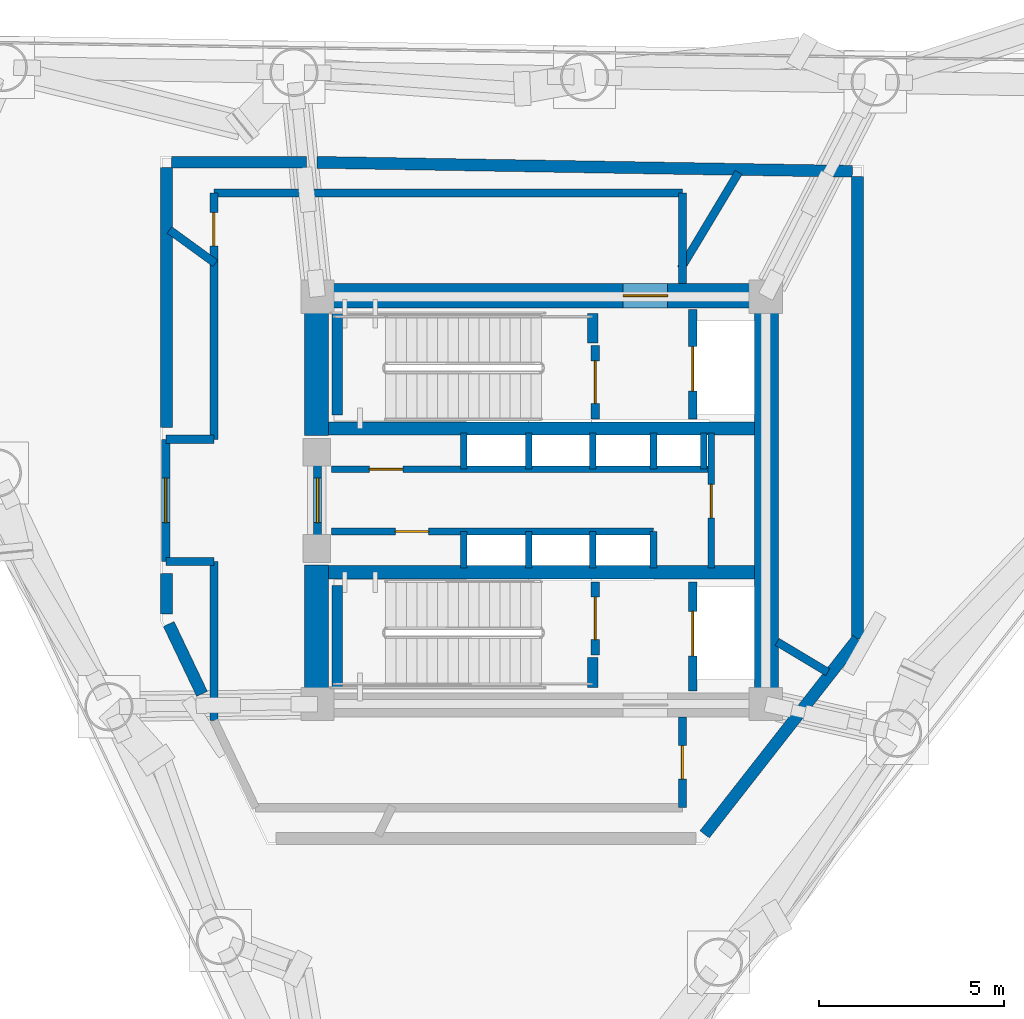
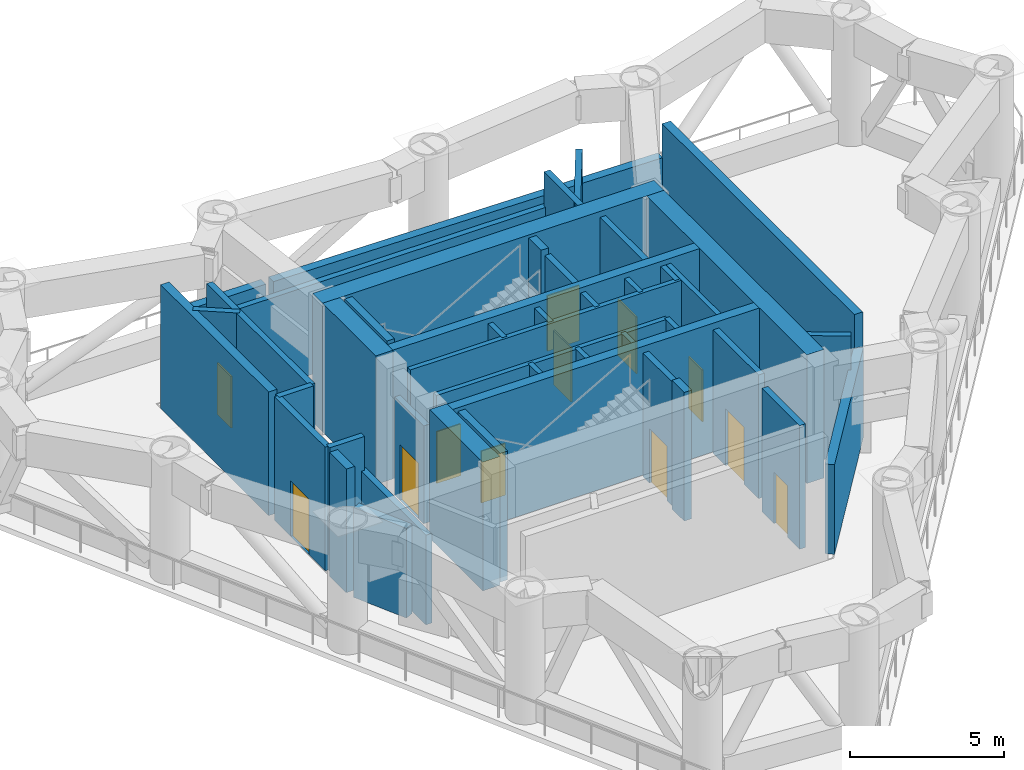
# One storey, part 4 of 9: 45 walls, 12 doors, 12 openings.
"""IFC4 building model written with IfcOpenShell, lengths in metres."""

import ifcopenshell
import ifcopenshell.guid

model = None  # the IFC model being written
_history = None  # IfcOwnerHistory: only IFC2X3 demands one
_inside = {}  # id of a spatial element -> (the spatial element, [elements in it])
_under = {}  # id of a project, library or spatial element -> (it, [spatial elements below it])
_declared = {}  # id of a project -> (the project, [libraries it declares])
_typed = {}  # id of a type object -> (the type object, [elements of that type])
_made_of = {}  # id of a material, layer set ... -> (it, [elements and type objects made of it])


def new_model(schema):
    """Start an empty IFC model of exactly this schema.

    Asked for "IFC4X3", IfcOpenShell would pick the latest addendum, in which some entities
    have other attributes; the version numbers below select the first issue.
    IFC2X3 requires an IfcOwnerHistory on every rooted entity: one is made here for all.
    """
    global model, _history
    if schema == "IFC4X3":
        model = ifcopenshell.file(schema_version=(4, 3, 0, 0))
    else:
        model = ifcopenshell.file(schema=schema)
    _inside.clear()
    _under.clear()
    _declared.clear()
    _typed.clear()
    _made_of.clear()
    _history = None
    if model.schema == "IFC2X3":
        org = make("IfcOrganization", Name="unknown")
        user = make(
            "IfcPersonAndOrganization",
            ThePerson=make("IfcPerson", FamilyName="unknown"),
            TheOrganization=org,
        )
        app = make(
            "IfcApplication",
            ApplicationDeveloper=org,
            Version="unknown",
            ApplicationFullName="unknown",
            ApplicationIdentifier="unknown",
        )
        _history = make(
            "IfcOwnerHistory",
            OwningUser=user,
            OwningApplication=app,
            ChangeAction="ADDED",
            CreationDate=0,
        )
    return model


def make(cls, **values):
    """One entity of the class cls with the attributes given. An attribute that is None is left unset."""
    return model.create_entity(
        cls, **{name: value for name, value in values.items() if value is not None}
    )


def rooted(cls, **values):
    """An entity with a GlobalId (a new one), such as an element, a storey or a relation."""
    return make(cls, GlobalId=ifcopenshell.guid.new(), OwnerHistory=_history, **values)


def si_unit(unit_type, name, prefix=None):
    """IfcSIUnit, for example si_unit("LENGTHUNIT", "METRE", prefix="MILLI")."""
    return make("IfcSIUnit", UnitType=unit_type, Prefix=prefix, Name=name)


def assignment(units):
    """IfcUnitAssignment: the units of a project."""
    return None if units is None else make("IfcUnitAssignment", Units=units)


def point(xyz):
    """IfcCartesianPoint."""
    return None if xyz is None else make("IfcCartesianPoint", Coordinates=xyz)


def direction(xyz):
    """IfcDirection."""
    return None if xyz is None else make("IfcDirection", DirectionRatios=xyz)


def frame(location, z_axis=None, x_axis=None):
    """IfcAxis2Placement3D, a coordinate frame: its origin and axes. An axis left out is left unset."""
    return make(
        "IfcAxis2Placement3D",
        Location=point(location),
        Axis=direction(z_axis),
        RefDirection=direction(x_axis),
    )


def frame_2d(location, x_axis=None):
    """IfcAxis2Placement2D, a coordinate frame in the plane: its origin and x axis."""
    return make(
        "IfcAxis2Placement2D", Location=point(location), RefDirection=direction(x_axis)
    )


def origin():
    """The frame at (0, 0, 0) with its axes left unset."""
    return frame((0.0, 0.0, 0.0))


def place(relative_to, where):
    """IfcLocalPlacement: puts the frame where relative to a parent placement (None: the world)."""
    return make(
        "IfcLocalPlacement", PlacementRelTo=relative_to, RelativePlacement=where
    )


def context(
    kind, dimensions, precision=None, world=None, true_north=None, identifier=None
):
    """IfcGeometricRepresentationContext, for example the 3D "Model" context."""
    return make(
        "IfcGeometricRepresentationContext",
        ContextIdentifier=identifier,
        ContextType=kind,
        CoordinateSpaceDimension=dimensions,
        Precision=precision,
        WorldCoordinateSystem=world,
        TrueNorth=true_north,
    )


def subcontext(parent, identifier, kind, view, scale=None):
    """IfcGeometricRepresentationSubContext, for example "Body" below "Model"."""
    return make(
        "IfcGeometricRepresentationSubContext",
        ContextIdentifier=identifier,
        ContextType=kind,
        ParentContext=parent,
        TargetScale=scale,
        TargetView=view,
    )


def project(units=None, contexts=None):
    """IfcProject with its units and contexts."""
    return rooted(
        "IfcProject",
        Name="project",
        RepresentationContexts=contexts,
        UnitsInContext=assignment(units),
    )


def spatial(cls, under=None, at=None, **own):
    """A site, building, storey or space (cls), placed at a placement, below another one or the project."""
    s = rooted(cls, ObjectPlacement=at, **own)
    if under is not None:
        _under.setdefault(under.id(), (under, []))[1].append(s)
    return s


def profile(cls, at=None, kind="AREA", **sizes):
    """A parametric profile (cls). Its sizes go by their IFC names, for example OverallWidth=200.0."""
    return make(cls, ProfileType=kind, Position=at, **sizes)


def rectangle(**sizes):
    """IfcRectangleProfileDef."""
    return profile("IfcRectangleProfileDef", **sizes)


def extrude(swept, where, along, depth):
    """IfcExtrudedAreaSolid: the profile swept, set in the frame where, extruded along a direction by depth."""
    return make(
        "IfcExtrudedAreaSolid",
        SweptArea=swept,
        Position=where,
        ExtrudedDirection=direction(along),
        Depth=depth,
    )


def shape(context_of_items, identifier, shape_type, items):
    """IfcShapeRepresentation: the items that make up one representation, for example the "Body"."""
    return make(
        "IfcShapeRepresentation",
        ContextOfItems=context_of_items,
        RepresentationIdentifier=identifier,
        RepresentationType=shape_type,
        Items=items,
    )


def material(Name=None, Category=None):
    """IfcMaterial."""
    return make("IfcMaterial", Name=Name, Category=Category)


def layer(
    of_material, thickness, ventilated=None, Name=None, Category=None, Priority=None
):
    """IfcMaterialLayer: one layer of a wall or slab, of a material (None: an air gap)."""
    return make(
        "IfcMaterialLayer",
        Material=of_material,
        LayerThickness=thickness,
        IsVentilated=ventilated,
        Name=Name,
        Category=Category,
        Priority=Priority,
    )


def layer_set(layers, Name=None):
    """IfcMaterialLayerSet."""
    return make("IfcMaterialLayerSet", MaterialLayers=layers, LayerSetName=Name)


def made_of(thing, what):
    """Note that an element or type object is made of a material, layer set ...; save() writes the relation."""
    if what is not None:
        _made_of.setdefault(what.id(), (what, []))[1].append(thing)
    return thing


def type_object(cls, material=None, **own):
    """A type object (cls), such as IfcWallType, which elements share."""
    return made_of(rooted(cls, **own), material)


def element(
    cls,
    number,
    at=None,
    inside=None,
    cuts=None,
    type_object=None,
    material=None,
    context=None,
    identifier="Body",
    shape_type=None,
    held_by="IfcProductDefinitionShape",
    body=None,
    shapes=None,
    **own,
):
    """One element of the class cls, such as IfcWall. Its Tag is "e" and its number.

    at: its placement. inside: the storey or other place that contains it. cuts: it is an
    opening in that element (IfcRelVoidsElement). A single representation is given by context,
    identifier, shape_type and body (its items); several are given by shapes. held_by: the class
    of the entity that holds the representations. save() writes the other relations.
    """
    e = rooted(cls, Tag="e%d" % number, ObjectPlacement=at, **own)
    if body is not None:
        shapes = [shape(context, identifier, shape_type, body)]
    if shapes is not None:
        e.Representation = make(held_by, Representations=shapes)
    if inside is not None:
        _inside.setdefault(inside.id(), (inside, []))[1].append(e)
    if cuts is not None:
        rooted(
            "IfcRelVoidsElement", RelatingBuildingElement=cuts, RelatedOpeningElement=e
        )
    if type_object is not None:
        _typed.setdefault(type_object.id(), (type_object, []))[1].append(e)
    return made_of(e, material)


def fill(opening, filler):
    """IfcRelFillsElement: the door or window that sits in an opening."""
    return rooted(
        "IfcRelFillsElement",
        RelatingOpeningElement=opening,
        RelatedBuildingElement=filler,
    )


def aggregate(whole, parts):
    """IfcRelAggregates: a whole, such as a stair, and the parts it consists of."""
    return rooted("IfcRelAggregates", RelatingObject=whole, RelatedObjects=parts)


def save(model, path):
    """Write the relations noted so far, then the file.

    IfcRelAggregates (storeys below a building ...), IfcRelContainedInSpatialStructure (elements
    in a storey), IfcRelDefinesByType, IfcRelAssociatesMaterial and IfcRelDeclares: one each for
    every whole, place, type object, material and project.
    """
    for whole, parts in _under.values():
        aggregate(whole, parts)
    for where, things in _inside.values():
        rooted(
            "IfcRelContainedInSpatialStructure",
            RelatedElements=things,
            RelatingStructure=where,
        )
    for kind, things in _typed.values():
        rooted("IfcRelDefinesByType", RelatedObjects=things, RelatingType=kind)
    for what, things in _made_of.values():
        rooted("IfcRelAssociatesMaterial", RelatedObjects=things, RelatingMaterial=what)
    for by, libraries in _declared.values():
        rooted("IfcRelDeclares", RelatingContext=by, RelatedDefinitions=libraries)
    model.write(path)


model = new_model("IFC4")

# Units and contexts
model_context = context("Model", 3, precision=1e-05, world=origin(), true_north=direction((0.0, 1.0)))
body_context = subcontext(model_context, "Body", "Model", "MODEL_VIEW")
ifc_project = project(units=[si_unit("LENGTHUNIT", "METRE"), si_unit("AREAUNIT", "SQUARE_METRE"), si_unit("VOLUMEUNIT", "CUBIC_METRE"), si_unit("PLANEANGLEUNIT", "RADIAN"), si_unit("MASSUNIT", "GRAM", prefix="KILO")], contexts=[model_context])

# Site, building, storey
site_placement = place(None, origin())
site = spatial("IfcSite", under=ifc_project, at=site_placement, CompositionType="ELEMENT")
building_placement = place(site_placement, origin())
building = spatial("IfcBuilding", under=site, at=building_placement, Name="Yunling Apex Tower", CompositionType="ELEMENT")
storey_placement = place(building_placement, frame((0.0, 0.0, 153.64990234375)))
storey = spatial("IfcBuildingStorey", under=building, at=storey_placement, Name="RF4", CompositionType="ELEMENT", Elevation=153.64990234375)

# Wall, opening, door
ifc_material_1 = material(Name="Concrete C50", Category="concrete")
ifc_layer_1 = layer(ifc_material_1, 0.64990234375)
ifc_layer_set_1 = layer_set([ifc_layer_1], Name="Concrete C50")
wall_type_1 = type_object("IfcWallType", Name="WL-COR-2", PredefinedType="SHEAR", material=ifc_layer_set_1)
wall_1_placement = place(storey_placement, frame((-6.39990234375, 5.52490234375, 0.0), z_axis=(0.0, 0.0, 1.0), x_axis=(1.0, 0.0, 0.0)))
wall_1 = element("IfcWall", 1, at=wall_1_placement, inside=storey, type_object=wall_type_1, Name="RF4 North Core Shear Wall", PredefinedType="SHEAR", context=body_context, shape_type="SweptSolid", body=[
    extrude(rectangle(XDim=12.7998046875, YDim=0.64990234375, at=frame_2d((6.39990234375, 0.0))), origin(), (0.0, 0.0, 1.0), 5.10009765625),
])
opening_1_placement = place(wall_1_placement, frame((8.60009765625, 0.0, 0.0)))
opening_1 = element("IfcOpeningElement", 2, at=opening_1_placement, cuts=wall_1, Name="Opening DR-FFL-1", PredefinedType="OPENING", context=body_context, shape_type="SweptSolid", body=[
    extrude(rectangle(XDim=1.199951171875, YDim=2.199951171875, at=frame_2d((0.60009765625, 1.10009765625))), frame((0.0, 0.3349609375, 0.0), z_axis=(0.0, -1.0, 0.0), x_axis=(1.0, 0.0, 0.0)), (0.0, 0.0, 1.0), 0.669921875),
])
ifc_material_2 = material(Name="Steel Q355B", Category="steel")
door_type_1 = type_object("IfcDoorType", Name="DR-FFL-1", OperationType="NOTDEFINED", PredefinedType="DOOR", material=ifc_material_2)
door_1_placement = place(opening_1_placement, origin())
door_1 = element("IfcDoor", 3, at=door_1_placement, inside=storey, type_object=door_type_1, Name="RF4 North Firefighting Lobby Door", OperationType="SINGLE_SWING_LEFT", OverallHeight=2.199951171875, OverallWidth=1.199951171875, PredefinedType="DOOR", context=body_context, shape_type="SweptSolid", body=[
    extrude(rectangle(XDim=1.199951171875, YDim=2.199951171875, at=frame_2d((0.60009765625, 1.10009765625))), frame((0.0, 0.02490234375, 0.0), z_axis=(0.0, -1.0, 0.0), x_axis=(1.0, 0.0, 0.0)), (0.0, 0.0, 1.0), 0.050048828125),
])
fill(opening_1, door_1)

# Walls
wall_2_placement = place(storey_placement, frame((6.074951171875, -5.199951171875, 0.0), z_axis=(0.0, 0.0, 1.0), x_axis=(0.0, 1.0, 0.0)))
element("IfcWall", 4, at=wall_2_placement, inside=storey, type_object=wall_type_1, Name="RF4 East Core Shear Wall", PredefinedType="SHEAR", context=body_context, shape_type="SweptSolid", body=[
    extrude(rectangle(XDim=10.39990234375, YDim=0.64990234375, at=frame_2d((5.199951171875, 0.0))), origin(), (0.0, 0.0, 1.0), 5.10009765625),
])
for number, where, z_axis, x_axis, name in (
    (5, (-6.074951171875, -5.199951171875, 0.0), (0.0, 0.0, 1.0), (0.0, 1.0, 0.0), "RF4 West-South Core Shear Wall"),
    (6, (-6.074951171875, 1.75, 0.0), (0.0, 0.0, 1.0), (0.0, 1.0, 0.0), "RF4 West-North Core Shear Wall"),
):
    element("IfcWall", number, at=place(storey_placement, frame(where, z_axis=z_axis, x_axis=x_axis)), inside=storey, type_object=wall_type_1, Name=name, PredefinedType="SHEAR", context=body_context, shape_type="SweptSolid", body=[
        extrude(rectangle(XDim=3.449951171875, YDim=0.64990234375, at=frame_2d((1.72509765625, 0.0))), origin(), (0.0, 0.0, 1.0), 5.10009765625),
    ])
ifc_material_3 = material(Name="Concrete C40", Category="concrete")
ifc_layer_2 = layer(ifc_material_3, 0.360107421875)
ifc_layer_set_2 = layer_set([ifc_layer_2], Name="Concrete C40")
wall_type_2 = type_object("IfcWallType", Name="WL-COR-4", PredefinedType="SHEAR", material=ifc_layer_set_2)
for number, where, z_axis, x_axis, name in (
    (7, (-5.75, 1.93994140625, 0.0), (0.0, 0.0, 1.0), (1.0, 0.0, 0.0), "RF4 North Internal Core Shear Wall"),
    (8, (-5.75, -1.93994140625, 0.0), (0.0, 0.0, 1.0), (1.0, 0.0, 0.0), "RF4 South Internal Core Shear Wall"),
):
    element("IfcWall", number, at=place(storey_placement, frame(where, z_axis=z_axis, x_axis=x_axis)), inside=storey, type_object=wall_type_2, Name=name, PredefinedType="SHEAR", context=body_context, shape_type="SweptSolid", body=[
        extrude(rectangle(XDim=11.5, YDim=0.360107421875, at=frame_2d((5.75, 0.0))), origin(), (0.0, 0.0, 1.0), 5.10009765625),
    ])
ifc_layer_3 = layer(ifc_material_3, 0.280029296875)
ifc_layer_set_3 = layer_set([ifc_layer_3], Name="Concrete C40")
wall_type_3 = type_object("IfcWallType", Name="WL-COR-8", PredefinedType="SHEAR", material=ifc_layer_set_3)
wall_3_placement = place(storey_placement, frame((-5.52001953125, 2.300048828125, 0.0), z_axis=(0.0, 0.0, 1.0), x_axis=(0.0, 1.0, 0.0)))
element("IfcWall", 9, at=wall_3_placement, inside=storey, type_object=wall_type_3, Name="RF4 ST-1 West Landing Bearing Wall", PredefinedType="SHEAR", context=body_context, shape_type="SweptSolid", body=[
    extrude(rectangle(XDim=2.75, YDim=0.280029296875, at=frame_2d((1.375, 0.0))), origin(), (0.0, 0.0, 1.0), 5.10009765625),
])
wall_4_placement = place(storey_placement, frame((1.3798828125, 4.25, 0.0), z_axis=(0.0, 0.0, 1.0), x_axis=(0.0, 1.0, 0.0)))
element("IfcWall", 10, at=wall_4_placement, inside=storey, type_object=wall_type_3, Name="RF4 ST-1 East Landing Bearing Pier", PredefinedType="SHEAR", context=body_context, shape_type="SweptSolid", body=[
    extrude(rectangle(XDim=0.800048828125, YDim=0.280029296875, at=frame_2d((0.39990234375, 0.0))), origin(), (0.0, 0.0, 1.0), 5.10009765625),
])
wall_5_placement = place(storey_placement, frame((-5.52001953125, -5.050048828125, 0.0), z_axis=(0.0, 0.0, 1.0), x_axis=(0.0, 1.0, 0.0)))
element("IfcWall", 11, at=wall_5_placement, inside=storey, type_object=wall_type_3, Name="RF4 ST-2 West Landing Bearing Wall", PredefinedType="SHEAR", context=body_context, shape_type="SweptSolid", body=[
    extrude(rectangle(XDim=2.75, YDim=0.280029296875, at=frame_2d((1.375, 0.0))), origin(), (0.0, 0.0, 1.0), 5.10009765625),
])
wall_6_placement = place(storey_placement, frame((1.3798828125, -5.050048828125, 0.0), z_axis=(0.0, 0.0, 1.0), x_axis=(0.0, 1.0, 0.0)))
element("IfcWall", 12, at=wall_6_placement, inside=storey, type_object=wall_type_3, Name="RF4 ST-2 East Landing Bearing Pier", PredefinedType="SHEAR", context=body_context, shape_type="SweptSolid", body=[
    extrude(rectangle(XDim=0.800048828125, YDim=0.280029296875, at=frame_2d((0.39990234375, 0.0))), origin(), (0.0, 0.0, 1.0), 5.10009765625),
])
ifc_material_4 = material(Name="Precast concrete C40", Category="concrete")
ifc_layer_4 = layer(ifc_material_4, 0.320068359375)
ifc_layer_set_4 = layer_set([ifc_layer_4], Name="Precast concrete C40")
wall_type_4 = type_object("IfcWallType", Name="WL-EXT-1", PredefinedType="SOLIDWALL", material=ifc_layer_set_4)
wall_7_placement = place(storey_placement, frame((8.530029296875, -3.7431640625, 0.0), z_axis=(0.0, 0.0, 1.0), x_axis=(-0.616206069738, -0.787584966602, 0.0)))
element("IfcWall", 13, at=wall_7_placement, inside=storey, type_object=wall_type_4, Name="WL-RF4-IR-01", PredefinedType="SOLIDWALL", context=body_context, shape_type="SweptSolid", body=[
    extrude(rectangle(XDim=6.69970703125, YDim=0.320068359375, at=frame_2d((3.349853515625, 0.0))), origin(), (0.0, 0.0, 1.0), 3.55517578125),
])
wall_8_placement = place(storey_placement, frame((-9.169921875, -5.2255859375, 0.0), z_axis=(0.0, 0.0, 1.0), x_axis=(-0.430454955587, 0.902612060196, 0.0)))
element("IfcWall", 14, at=wall_8_placement, inside=storey, type_object=wall_type_4, Name="WL-RF4-IR-03", PredefinedType="SOLIDWALL", context=body_context, shape_type="SweptSolid", body=[
    extrude(rectangle(XDim=2.090087890625, YDim=0.320068359375, at=frame_2d((1.044921875, 0.0))), origin(), (0.0, 0.0, 1.0), 3.55517578125),
])
wall_9_placement = place(storey_placement, frame((-10.1298828125, -3.07275390625, 0.0), z_axis=(0.0, 0.0, 1.0), x_axis=(0.0, 1.0, 0.0)))
element("IfcWall", 15, at=wall_9_placement, inside=storey, type_object=wall_type_4, Name="WL-RF4-IR-04", PredefinedType="SOLIDWALL", context=body_context, shape_type="SweptSolid", body=[
    extrude(rectangle(XDim=1.102783203125, YDim=0.320068359375, at=frame_2d((0.55126953125, 0.0))), origin(), (0.0, 0.0, 1.0), 4.900146484375),
])
wall_10_placement = place(storey_placement, frame((-10.1298828125, 1.969970703125, 0.0), z_axis=(0.0, 0.0, 1.0), x_axis=(0.0, 1.0, 0.0)))
element("IfcWall", 16, at=wall_10_placement, inside=storey, type_object=wall_type_4, Name="WL-RF4-IR-05", PredefinedType="SOLIDWALL", context=body_context, shape_type="SweptSolid", body=[
    extrude(rectangle(XDim=7.02001953125, YDim=0.320068359375, at=frame_2d((3.510009765625, 0.0))), origin(), (0.0, 0.0, 1.0), 4.900146484375),
])
wall_11_placement = place(storey_placement, frame((-9.989990234375, 9.1298828125, 0.0), z_axis=(0.0, 0.0, 1.0), x_axis=(1.0, 0.0, 0.0)))
element("IfcWall", 17, at=wall_11_placement, inside=storey, type_object=wall_type_4, Name="WL-RF4-IR-06", PredefinedType="SOLIDWALL", context=body_context, shape_type="SweptSolid", body=[
    extrude(rectangle(XDim=3.64208984375, YDim=0.320068359375, at=frame_2d((1.821044921875, 0.0))), origin(), (0.0, 0.0, 1.0), 3.55517578125),
])
wall_12_placement = place(storey_placement, frame((-6.06787109375, 9.127685546875, 0.0), z_axis=(0.0, 0.0, 1.0), x_axis=(0.999859442252, -0.016765910032, 0.0)))
element("IfcWall", 18, at=wall_12_placement, inside=storey, type_object=wall_type_4, Name="WL-RF4-IR-07", PredefinedType="SOLIDWALL", context=body_context, shape_type="SweptSolid", body=[
    extrude(rectangle(XDim=14.459716796875, YDim=0.320068359375, at=frame_2d((7.22998046875, 0.0))), origin(), (0.0, 0.0, 1.0), 3.55517578125),
])
wall_13_placement = place(storey_placement, frame((8.530029296875, 8.742919921875, 0.0), z_axis=(0.0, 0.0, 1.0), x_axis=(0.0, -1.0, 0.0)))
element("IfcWall", 19, at=wall_13_placement, inside=storey, type_object=wall_type_4, Name="WL-RF4-IR-08", PredefinedType="SOLIDWALL", context=body_context, shape_type="SweptSolid", body=[
    extrude(rectangle(XDim=12.486083984375, YDim=0.320068359375, at=frame_2d((6.2431640625, 0.0))), origin(), (0.0, 0.0, 1.0), 4.900146484375),
])

# Wall, opening, door
ifc_material_5 = material(Name="Autoclaved aerated concrete masonry", Category="masonry")
ifc_layer_5 = layer(ifc_material_5, 0.219970703125)
ifc_layer_set_5 = layer_set([ifc_layer_5], Name="Autoclaved aerated concrete masonry")
wall_type_5 = type_object("IfcWallType", Name="WL-SHF-1", PredefinedType="PLUMBINGWALL", material=ifc_layer_set_5)
wall_14_placement = place(storey_placement, frame((-6.050048828125, -0.949951171875, 0.0), z_axis=(0.0, 0.0, 1.0), x_axis=(0.0, 1.0, 0.0)))
wall_14 = element("IfcWall", 20, at=wall_14_placement, inside=storey, type_object=wall_type_5, Name="WL-COR-WPORT-RF4", PredefinedType="PLUMBINGWALL", context=body_context, shape_type="SweptSolid", body=[
    extrude(rectangle(XDim=1.89990234375, YDim=0.219970703125, at=frame_2d((0.949951171875, 0.0))), origin(), (0.0, 0.0, 1.0), 3.880126953125),
])
opening_2_placement = place(wall_14_placement, frame((0.35009765625, 0.0, 0.0)))
opening_2 = element("IfcOpeningElement", 21, at=opening_2_placement, cuts=wall_14, Name="Opening DR-FFL-1", PredefinedType="OPENING", context=body_context, shape_type="SweptSolid", body=[
    extrude(rectangle(XDim=1.199951171875, YDim=2.199951171875, at=frame_2d((0.60009765625, 1.10009765625))), frame((0.0, 0.1201171875, 0.0), z_axis=(0.0, -1.0, 0.0), x_axis=(1.0, 0.0, 0.0)), (0.0, 0.0, 1.0), 0.239990234375),
])
door_2_placement = place(opening_2_placement, origin())
door_2 = element("IfcDoor", 22, at=door_2_placement, inside=storey, type_object=door_type_1, Name="RF4 Passenger Lift Lobby Entrance Door", OperationType="SINGLE_SWING_LEFT", OverallHeight=2.199951171875, OverallWidth=1.199951171875, PredefinedType="DOOR", context=body_context, shape_type="SweptSolid", body=[
    extrude(rectangle(XDim=1.199951171875, YDim=2.199951171875, at=frame_2d((0.60009765625, 1.10009765625))), frame((0.0, 0.02490234375, 0.0), z_axis=(0.0, -1.0, 0.0), x_axis=(1.0, 0.0, 0.0)), (0.0, 0.0, 1.0), 0.050048828125),
])
fill(opening_2, door_2)

wall_15_placement = place(storey_placement, frame((1.449951171875, 2.199951171875, 0.0), z_axis=(0.0, 0.0, 1.0), x_axis=(0.0, 1.0, 0.0)))
wall_15 = element("IfcWall", 23, at=wall_15_placement, inside=storey, type_object=wall_type_5, Name="WL-ST1-E-RF4", PredefinedType="PLUMBINGWALL", context=body_context, shape_type="SweptSolid", body=[
    extrude(rectangle(XDim=1.97998046875, YDim=0.219970703125, at=frame_2d((0.989990234375, 0.0))), origin(), (0.0, 0.0, 1.0), 4.900146484375),
])
opening_3_placement = place(wall_15_placement, frame((0.419921875, 0.0, 0.0)))
opening_3 = element("IfcOpeningElement", 24, at=opening_3_placement, cuts=wall_15, Name="Opening DR-ST-1", PredefinedType="OPENING", context=body_context, shape_type="SweptSolid", body=[
    extrude(rectangle(XDim=1.14990234375, YDim=2.14990234375, at=frame_2d((0.574951171875, 1.074951171875))), frame((0.0, 0.1201171875, 0.0), z_axis=(0.0, -1.0, 0.0), x_axis=(1.0, 0.0, 0.0)), (0.0, 0.0, 1.0), 0.239990234375),
])
door_type_2 = type_object("IfcDoorType", Name="DR-ST-1", OperationType="NOTDEFINED", PredefinedType="DOOR", material=ifc_material_2)
door_3_placement = place(opening_3_placement, origin())
door_3 = element("IfcDoor", 25, at=door_3_placement, inside=storey, type_object=door_type_2, Name="RF4 Stair ST-1 Fire Door", OperationType="SINGLE_SWING_RIGHT", OverallHeight=2.14990234375, OverallWidth=1.14990234375, PredefinedType="DOOR", context=body_context, shape_type="SweptSolid", body=[
    extrude(rectangle(XDim=1.14990234375, YDim=2.14990234375, at=frame_2d((0.574951171875, 1.074951171875))), frame((0.0, 0.02490234375, 0.0), z_axis=(0.0, -1.0, 0.0), x_axis=(1.0, 0.0, 0.0)), (0.0, 0.0, 1.0), 0.050048828125),
])
fill(opening_3, door_3)

wall_16_placement = place(storey_placement, frame((4.080078125, 2.199951171875, 0.0), z_axis=(0.0, 0.0, 1.0), x_axis=(0.0, 1.0, 0.0)))
wall_16 = element("IfcWall", 26, at=wall_16_placement, inside=storey, type_object=wall_type_5, Name="WL-FFL1-W-RF4", PredefinedType="PLUMBINGWALL", context=body_context, shape_type="SweptSolid", body=[
    extrude(rectangle(XDim=2.949951171875, YDim=0.219970703125, at=frame_2d((1.47509765625, 0.0))), origin(), (0.0, 0.0, 1.0), 4.900146484375),
])
opening_4_placement = place(wall_16_placement, frame((0.75, 0.0, 0.0)))
opening_4 = element("IfcOpeningElement", 27, at=opening_4_placement, cuts=wall_16, Name="Opening LD-FFL-1", PredefinedType="OPENING", context=body_context, shape_type="SweptSolid", body=[
    extrude(rectangle(XDim=1.199951171875, YDim=2.25, at=frame_2d((0.60009765625, 1.125))), frame((0.0, 0.1201171875, 0.0), z_axis=(0.0, -1.0, 0.0), x_axis=(1.0, 0.0, 0.0)), (0.0, 0.0, 1.0), 0.239990234375),
])
door_type_3 = type_object("IfcDoorType", Name="LD-FFL-1", OperationType="DOUBLE_DOOR_SLIDING", PredefinedType="DOOR", material=ifc_material_2)
door_4_placement = place(opening_4_placement, origin())
door_4 = element("IfcDoor", 28, at=door_4_placement, inside=storey, type_object=door_type_3, Name="RF4 Lift FFL-1 Landing Door", OperationType="DOUBLE_DOOR_SLIDING", OverallHeight=2.25, OverallWidth=1.199951171875, PredefinedType="DOOR", context=body_context, shape_type="SweptSolid", body=[
    extrude(rectangle(XDim=1.199951171875, YDim=2.25, at=frame_2d((0.60009765625, 1.125))), frame((0.0, 0.02490234375, 0.0), z_axis=(0.0, -1.0, 0.0), x_axis=(1.0, 0.0, 0.0)), (0.0, 0.0, 1.0), 0.050048828125),
])
fill(opening_4, door_4)

wall_17_placement = place(storey_placement, frame((1.449951171875, -4.179931640625, 0.0), z_axis=(0.0, 0.0, 1.0), x_axis=(0.0, 1.0, 0.0)))
wall_17 = element("IfcWall", 29, at=wall_17_placement, inside=storey, type_object=wall_type_5, Name="WL-ST2-E-RF4", PredefinedType="PLUMBINGWALL", context=body_context, shape_type="SweptSolid", body=[
    extrude(rectangle(XDim=1.97998046875, YDim=0.219970703125, at=frame_2d((0.989990234375, 0.0))), origin(), (0.0, 0.0, 1.0), 4.900146484375),
])
opening_5_placement = place(wall_17_placement, frame((0.419921875, 0.0, 0.0)))
opening_5 = element("IfcOpeningElement", 30, at=opening_5_placement, cuts=wall_17, Name="Opening DR-ST-1", PredefinedType="OPENING", context=body_context, shape_type="SweptSolid", body=[
    extrude(rectangle(XDim=1.14990234375, YDim=2.14990234375, at=frame_2d((0.574951171875, 1.074951171875))), frame((0.0, 0.1201171875, 0.0), z_axis=(0.0, -1.0, 0.0), x_axis=(1.0, 0.0, 0.0)), (0.0, 0.0, 1.0), 0.239990234375),
])
door_5_placement = place(opening_5_placement, origin())
door_5 = element("IfcDoor", 31, at=door_5_placement, inside=storey, type_object=door_type_2, Name="RF4 Stair ST-2 Fire Door", OperationType="SINGLE_SWING_LEFT", OverallHeight=2.14990234375, OverallWidth=1.14990234375, PredefinedType="DOOR", context=body_context, shape_type="SweptSolid", body=[
    extrude(rectangle(XDim=1.14990234375, YDim=2.14990234375, at=frame_2d((0.574951171875, 1.074951171875))), frame((0.0, 0.02490234375, 0.0), z_axis=(0.0, -1.0, 0.0), x_axis=(1.0, 0.0, 0.0)), (0.0, 0.0, 1.0), 0.050048828125),
])
fill(opening_5, door_5)

wall_18_placement = place(storey_placement, frame((4.080078125, -5.14990234375, 0.0), z_axis=(0.0, 0.0, 1.0), x_axis=(0.0, 1.0, 0.0)))
wall_18 = element("IfcWall", 32, at=wall_18_placement, inside=storey, type_object=wall_type_5, Name="WL-FFL2-W-RF4", PredefinedType="PLUMBINGWALL", context=body_context, shape_type="SweptSolid", body=[
    extrude(rectangle(XDim=2.949951171875, YDim=0.219970703125, at=frame_2d((1.47509765625, 0.0))), origin(), (0.0, 0.0, 1.0), 4.900146484375),
])
opening_6_placement = place(wall_18_placement, frame((0.949951171875, 0.0, 0.0)))
opening_6 = element("IfcOpeningElement", 33, at=opening_6_placement, cuts=wall_18, Name="Opening LD-FFL-1", PredefinedType="OPENING", context=body_context, shape_type="SweptSolid", body=[
    extrude(rectangle(XDim=1.199951171875, YDim=2.25, at=frame_2d((0.60009765625, 1.125))), frame((0.0, 0.1201171875, 0.0), z_axis=(0.0, -1.0, 0.0), x_axis=(1.0, 0.0, 0.0)), (0.0, 0.0, 1.0), 0.239990234375),
])
door_6_placement = place(opening_6_placement, origin())
door_6 = element("IfcDoor", 34, at=door_6_placement, inside=storey, type_object=door_type_3, Name="RF4 Lift FFL-2 Landing Door", OperationType="DOUBLE_DOOR_SLIDING", OverallHeight=2.25, OverallWidth=1.199951171875, PredefinedType="DOOR", context=body_context, shape_type="SweptSolid", body=[
    extrude(rectangle(XDim=1.199951171875, YDim=2.25, at=frame_2d((0.60009765625, 1.125))), frame((0.0, 0.02490234375, 0.0), z_axis=(0.0, -1.0, 0.0), x_axis=(1.0, 0.0, 0.0)), (0.0, 0.0, 1.0), 0.050048828125),
])
fill(opening_6, door_6)

# Walls
wall_19_placement = place(storey_placement, frame((3.760009765625, 6.2578125, 0.0), z_axis=(0.0, 0.0, 1.0), x_axis=(0.51502853242, 0.857173034336, 0.0)))
element("IfcWall", 35, at=wall_19_placement, inside=storey, type_object=wall_type_5, Name="WL-RF4-PDIV-59", PredefinedType="PLUMBINGWALL", context=body_context, shape_type="SweptSolid", body=[
    extrude(rectangle(XDim=3.031982421875, YDim=0.219970703125, at=frame_2d((1.51611328125, 0.0))), origin(), (0.0, 0.0, 1.0), 4.900146484375),
])
wall_20_placement = place(storey_placement, frame((-8.81005859375, 6.40087890625, 0.0), z_axis=(0.0, 0.0, 1.0), x_axis=(-0.809025288471, 0.587773836279, 0.0)))
element("IfcWall", 36, at=wall_20_placement, inside=storey, type_object=wall_type_5, Name="WL-RF4-PDIV-144", PredefinedType="PLUMBINGWALL", context=body_context, shape_type="SweptSolid", body=[
    extrude(rectangle(XDim=1.53271484375, YDim=0.219970703125, at=frame_2d((0.766357421875, 0.0))), origin(), (0.0, 0.0, 1.0), 4.900146484375),
])
wall_21_placement = place(storey_placement, frame((6.360107421875, -3.821533203125, 0.0), z_axis=(0.0, 0.0, 1.0), x_axis=(0.857168152113, -0.515036657922, 0.0)))
element("IfcWall", 37, at=wall_21_placement, inside=storey, type_object=wall_type_5, Name="WL-RF4-PDIV-329", PredefinedType="PLUMBINGWALL", context=body_context, shape_type="SweptSolid", body=[
    extrude(rectangle(XDim=1.5927734375, YDim=0.219970703125, at=frame_2d((0.79638671875, 0.0))), origin(), (0.0, 0.0, 1.0), 4.900146484375),
])

# Wall, opening, door
wall_22_placement = place(storey_placement, frame((3.800048828125, -5.85009765625, 0.0), z_axis=(0.0, 0.0, 1.0), x_axis=(0.0, -1.0, 0.0)))
wall_22 = element("IfcWall", 38, at=wall_22_placement, inside=storey, type_object=wall_type_5, Name="WL-RF4-PCR-01", PredefinedType="PLUMBINGWALL", context=body_context, shape_type="SweptSolid", body=[
    extrude(rectangle(XDim=2.449951171875, YDim=0.219970703125, at=frame_2d((1.22509765625, 0.0))), origin(), (0.0, 0.0, 1.0), 4.900146484375),
])
opening_7_placement = place(wall_22_placement, frame((0.77490234375, 0.0, 0.0)))
opening_7 = element("IfcOpeningElement", 39, at=opening_7_placement, cuts=wall_22, Name="Opening DR-SHF-1", PredefinedType="OPENING", context=body_context, shape_type="SweptSolid", body=[
    extrude(rectangle(XDim=0.89990234375, YDim=2.050048828125, at=frame_2d((0.449951171875, 1.02490234375))), frame((0.0, 0.1201171875, 0.0), z_axis=(0.0, -1.0, 0.0), x_axis=(1.0, 0.0, 0.0)), (0.0, 0.0, 1.0), 0.239990234375),
])
door_type_4 = type_object("IfcDoorType", Name="DR-SHF-1", OperationType="NOTDEFINED", PredefinedType="DOOR", material=ifc_material_2)
door_7_placement = place(opening_7_placement, origin())
door_7 = element("IfcDoor", 40, at=door_7_placement, inside=storey, type_object=door_type_4, Name="RF4 Plate Heat-Exchanger and Chiller Plant Room Door", OperationType="SINGLE_SWING_LEFT", OverallHeight=2.050048828125, OverallWidth=0.89990234375, PredefinedType="DOOR", context=body_context, shape_type="SweptSolid", body=[
    extrude(rectangle(XDim=0.89990234375, YDim=2.050048828125, at=frame_2d((0.449951171875, 1.02490234375))), frame((0.0, 0.02490234375, 0.0), z_axis=(0.0, -1.0, 0.0), x_axis=(1.0, 0.0, 0.0)), (0.0, 0.0, 1.0), 0.050048828125),
])
fill(opening_7, door_7)

# Walls
wall_23_placement = place(storey_placement, frame((-8.85009765625, -5.94287109375, 0.0), z_axis=(0.0, 0.0, 1.0), x_axis=(0.0, 1.0, 0.0)))
element("IfcWall", 41, at=wall_23_placement, inside=storey, type_object=wall_type_5, Name="WL-RF4-PCR-04", PredefinedType="PLUMBINGWALL", context=body_context, shape_type="SweptSolid", body=[
    extrude(rectangle(XDim=4.29296875, YDim=0.219970703125, at=frame_2d((2.146484375, 0.0))), origin(), (0.0, 0.0, 1.0), 3.55517578125),
])
wall_24_placement = place(storey_placement, frame((-8.85009765625, -1.64990234375, 0.0), z_axis=(0.0, 0.0, 1.0), x_axis=(-1.0, 0.0, 0.0)))
element("IfcWall", 42, at=wall_24_placement, inside=storey, type_object=wall_type_5, Name="WL-RF4-PCR-05", PredefinedType="PLUMBINGWALL", context=body_context, shape_type="SweptSolid", body=[
    extrude(rectangle(XDim=1.2998046875, YDim=0.219970703125, at=frame_2d((0.64990234375, 0.0))), origin(), (0.0, 0.0, 1.0), 4.900146484375),
])

# Wall, opening, door
wall_25_placement = place(storey_placement, frame((-10.14990234375, -1.64990234375, 0.0), z_axis=(0.0, 0.0, 1.0), x_axis=(0.0, 1.0, 0.0)))
wall_25 = element("IfcWall", 43, at=wall_25_placement, inside=storey, type_object=wall_type_5, Name="WL-RF4-PCR-06", PredefinedType="PLUMBINGWALL", context=body_context, shape_type="SweptSolid", body=[
    extrude(rectangle(XDim=3.2998046875, YDim=0.219970703125, at=frame_2d((1.64990234375, 0.0))), origin(), (0.0, 0.0, 1.0), 4.900146484375),
])
opening_8_placement = place(wall_25_placement, frame((1.050048828125, 0.0, 0.0)))
opening_8 = element("IfcOpeningElement", 44, at=opening_8_placement, cuts=wall_25, Name="Opening DR-FFL-1", PredefinedType="OPENING", context=body_context, shape_type="SweptSolid", body=[
    extrude(rectangle(XDim=1.199951171875, YDim=2.199951171875, at=frame_2d((0.60009765625, 1.10009765625))), frame((0.0, 0.1201171875, 0.0), z_axis=(0.0, -1.0, 0.0), x_axis=(1.0, 0.0, 0.0)), (0.0, 0.0, 1.0), 0.239990234375),
])
door_8_placement = place(opening_8_placement, origin())
door_8 = element("IfcDoor", 45, at=door_8_placement, inside=storey, type_object=door_type_1, Name="RF4 West Refuge Terrace Exit Door", OperationType="SINGLE_SWING_RIGHT", OverallHeight=2.199951171875, OverallWidth=1.199951171875, PredefinedType="DOOR", context=body_context, shape_type="SweptSolid", body=[
    extrude(rectangle(XDim=1.199951171875, YDim=2.199951171875, at=frame_2d((0.60009765625, 1.10009765625))), frame((0.0, 0.02490234375, 0.0), z_axis=(0.0, -1.0, 0.0), x_axis=(1.0, 0.0, 0.0)), (0.0, 0.0, 1.0), 0.050048828125),
])
fill(opening_8, door_8)

# Wall
wall_26_placement = place(storey_placement, frame((-10.14990234375, 1.64990234375, 0.0), z_axis=(0.0, 0.0, 1.0), x_axis=(1.0, 0.0, 0.0)))
element("IfcWall", 46, at=wall_26_placement, inside=storey, type_object=wall_type_5, Name="WL-RF4-PCR-07", PredefinedType="PLUMBINGWALL", context=body_context, shape_type="SweptSolid", body=[
    extrude(rectangle(XDim=1.2998046875, YDim=0.219970703125, at=frame_2d((0.64990234375, 0.0))), origin(), (0.0, 0.0, 1.0), 4.900146484375),
])

# Wall, opening, door
wall_27_placement = place(storey_placement, frame((-8.85009765625, 1.64990234375, 0.0), z_axis=(0.0, 0.0, 1.0), x_axis=(0.0, 1.0, 0.0)))
wall_27 = element("IfcWall", 47, at=wall_27_placement, inside=storey, type_object=wall_type_5, Name="WL-RF4-PCR-08", PredefinedType="PLUMBINGWALL", context=body_context, shape_type="SweptSolid", body=[
    extrude(rectangle(XDim=6.650146484375, YDim=0.219970703125, at=frame_2d((3.3251953125, 0.0))), origin(), (0.0, 0.0, 1.0), 4.900146484375),
])
opening_9_placement = place(wall_27_placement, frame((5.219970703125, 0.0, 0.0)))
opening_9 = element("IfcOpeningElement", 48, at=opening_9_placement, cuts=wall_27, Name="Opening DR-SHF-1", PredefinedType="OPENING", context=body_context, shape_type="SweptSolid", body=[
    extrude(rectangle(XDim=0.89990234375, YDim=2.050048828125, at=frame_2d((0.449951171875, 1.02490234375))), frame((0.0, 0.1201171875, 0.0), z_axis=(0.0, -1.0, 0.0), x_axis=(1.0, 0.0, 0.0)), (0.0, 0.0, 1.0), 0.239990234375),
])
door_9_placement = place(opening_9_placement, origin())
door_9 = element("IfcDoor", 49, at=door_9_placement, inside=storey, type_object=door_type_4, Name="RF4 Fire and Domestic Transfer Pump Plant Room Door", OperationType="SINGLE_SWING_LEFT", OverallHeight=2.050048828125, OverallWidth=0.89990234375, PredefinedType="DOOR", context=body_context, shape_type="SweptSolid", body=[
    extrude(rectangle(XDim=0.89990234375, YDim=2.050048828125, at=frame_2d((0.449951171875, 1.02490234375))), frame((0.0, 0.02490234375, 0.0), z_axis=(0.0, -1.0, 0.0), x_axis=(1.0, 0.0, 0.0)), (0.0, 0.0, 1.0), 0.050048828125),
])
fill(opening_9, door_9)

# Walls
wall_28_placement = place(storey_placement, frame((-8.85009765625, 8.300048828125, 0.0), z_axis=(0.0, 0.0, 1.0), x_axis=(1.0, 0.0, 0.0)))
element("IfcWall", 50, at=wall_28_placement, inside=storey, type_object=wall_type_5, Name="WL-RF4-PCR-09", PredefinedType="PLUMBINGWALL", context=body_context, shape_type="SweptSolid", body=[
    extrude(rectangle(XDim=12.650146484375, YDim=0.219970703125, at=frame_2d((6.3251953125, 0.0))), origin(), (0.0, 0.0, 1.0), 3.55517578125),
])
wall_29_placement = place(storey_placement, frame((3.800048828125, 8.300048828125, 0.0), z_axis=(0.0, 0.0, 1.0), x_axis=(0.0, -1.0, 0.0)))
element("IfcWall", 51, at=wall_29_placement, inside=storey, type_object=wall_type_5, Name="WL-RF4-PCR-10", PredefinedType="PLUMBINGWALL", context=body_context, shape_type="SweptSolid", body=[
    extrude(rectangle(XDim=2.449951171875, YDim=0.219970703125, at=frame_2d((1.22509765625, 0.0))), origin(), (0.0, 0.0, 1.0), 4.900146484375),
])
ifc_layer_6 = layer(ifc_material_5, 0.179931640625)
ifc_layer_set_6 = layer_set([ifc_layer_6], Name="Autoclaved aerated concrete masonry")
wall_type_6 = type_object("IfcWallType", Name="WL-SHF-2", PredefinedType="PLUMBINGWALL", material=ifc_layer_set_6)
for number, where, z_axis, x_axis, name in (
    (52, (-2.10009765625, 0.840087890625, 0.0), (0.0, 0.0, 1.0), (0.0, 1.0, 0.0), "WL-BNK-LM-N-RF4"),
    (53, (-2.10009765625, -1.820068359375, 0.0), (0.0, 0.0, 1.0), (0.0, 1.0, 0.0), "WL-BNK-LM-S-RF4"),
    (54, (-0.35009765625, 0.840087890625, 0.0), (0.0, 0.0, 1.0), (0.0, 1.0, 0.0), "WL-DIV-M12-RF4"),
    (55, (-0.35009765625, -1.820068359375, 0.0), (0.0, 0.0, 1.0), (0.0, 1.0, 0.0), "WL-DIV-M34-RF4"),
    (56, (1.3798828125, 0.840087890625, 0.0), (0.0, 0.0, 1.0), (0.0, 1.0, 0.0), "WL-BNK-MH-N-RF4"),
    (57, (1.3798828125, -1.820068359375, 0.0), (0.0, 0.0, 1.0), (0.0, 1.0, 0.0), "WL-BNK-MH-S-RF4"),
    (58, (3.02001953125, 0.840087890625, 0.0), (0.0, 0.0, 1.0), (0.0, 1.0, 0.0), "WL-DIV-H13-RF4"),
    (59, (4.3798828125, 0.840087890625, 0.0), (0.0, 0.0, 1.0), (0.0, 1.0, 0.0), "WL-END-H3E-RF4"),
    (60, (3.02001953125, -1.820068359375, 0.0), (0.0, 0.0, 1.0), (0.0, 1.0, 0.0), "WL-END-H2E-RF4"),
):
    element("IfcWall", number, at=place(storey_placement, frame(where, z_axis=z_axis, x_axis=x_axis)), inside=storey, type_object=wall_type_6, Name=name, PredefinedType="PLUMBINGWALL", context=body_context, shape_type="SweptSolid", body=[
        extrude(rectangle(XDim=0.97998046875, YDim=0.179931640625, at=frame_2d((0.489990234375, 0.0))), origin(), (0.0, 0.0, 1.0), 4.900146484375),
    ])

# Wall, opening, door
wall_30_placement = place(storey_placement, frame((4.580078125, -1.820068359375, 0.0), z_axis=(0.0, 0.0, 1.0), x_axis=(0.0, 1.0, 0.0)))
wall_30 = element("IfcWall", 61, at=wall_30_placement, inside=storey, type_object=wall_type_6, Name="WL-KBE-W-RF4", PredefinedType="PLUMBINGWALL", context=body_context, shape_type="SweptSolid", body=[
    extrude(rectangle(XDim=3.64013671875, YDim=0.179931640625, at=frame_2d((1.820068359375, 0.0))), origin(), (0.0, 0.0, 1.0), 4.900146484375),
])
opening_10_placement = place(wall_30_placement, frame((1.35009765625, 0.0, 0.0)))
opening_10 = element("IfcOpeningElement", 62, at=opening_10_placement, cuts=wall_30, Name="Opening DR-SHF-1", PredefinedType="OPENING", context=body_context, shape_type="SweptSolid", body=[
    extrude(rectangle(XDim=0.89990234375, YDim=2.050048828125, at=frame_2d((0.449951171875, 1.02490234375))), frame((0.0, 0.10009765625, 0.0), z_axis=(0.0, -1.0, 0.0), x_axis=(1.0, 0.0, 0.0)), (0.0, 0.0, 1.0), 0.199951171875),
])
door_10_placement = place(opening_10_placement, origin())
door_10 = element("IfcDoor", 63, at=door_10_placement, inside=storey, type_object=door_type_4, Name="RF4 Core Meter Room Door", OperationType="SINGLE_SWING_RIGHT", OverallHeight=2.050048828125, OverallWidth=0.89990234375, PredefinedType="DOOR", context=body_context, shape_type="SweptSolid", body=[
    extrude(rectangle(XDim=0.89990234375, YDim=2.050048828125, at=frame_2d((0.449951171875, 1.02490234375))), frame((0.0, 0.02490234375, 0.0), z_axis=(0.0, -1.0, 0.0), x_axis=(1.0, 0.0, 0.0)), (0.0, 0.0, 1.0), 0.050048828125),
])
fill(opening_10, door_10)

wall_31_placement = place(storey_placement, frame((-5.679931640625, 0.840087890625, 0.0), z_axis=(0.0, 0.0, 1.0), x_axis=(1.0, 0.0, 0.0)))
wall_31 = element("IfcWall", 64, at=wall_31_placement, inside=storey, type_object=wall_type_6, Name="WL-LOB-N-RF4", PredefinedType="PLUMBINGWALL", context=body_context, shape_type="SweptSolid", body=[
    extrude(rectangle(XDim=10.260009765625, YDim=0.179931640625, at=frame_2d((5.1298828125, 0.0))), origin(), (0.0, 0.0, 1.0), 4.900146484375),
])
opening_11_placement = place(wall_31_placement, frame((1.030029296875, 0.0, 0.0)))
opening_11 = element("IfcOpeningElement", 65, at=opening_11_placement, cuts=wall_31, Name="Opening DR-SHF-1", PredefinedType="OPENING", context=body_context, shape_type="SweptSolid", body=[
    extrude(rectangle(XDim=0.89990234375, YDim=2.050048828125, at=frame_2d((0.449951171875, 1.02490234375))), frame((0.0, 0.10009765625, 0.0), z_axis=(0.0, -1.0, 0.0), x_axis=(1.0, 0.0, 0.0)), (0.0, 0.0, 1.0), 0.199951171875),
])
door_11_placement = place(opening_11_placement, origin())
door_11 = element("IfcDoor", 66, at=door_11_placement, inside=storey, type_object=door_type_4, Name="RF4 LV Switchgear Door", OperationType="SINGLE_SWING_LEFT", OverallHeight=2.050048828125, OverallWidth=0.89990234375, PredefinedType="DOOR", context=body_context, shape_type="SweptSolid", body=[
    extrude(rectangle(XDim=0.89990234375, YDim=2.050048828125, at=frame_2d((0.449951171875, 1.02490234375))), frame((0.0, 0.02490234375, 0.0), z_axis=(0.0, -1.0, 0.0), x_axis=(1.0, 0.0, 0.0)), (0.0, 0.0, 1.0), 0.050048828125),
])
fill(opening_11, door_11)

wall_32_placement = place(storey_placement, frame((-5.679931640625, -0.840087890625, 0.0), z_axis=(0.0, 0.0, 1.0), x_axis=(1.0, 0.0, 0.0)))
wall_32 = element("IfcWall", 67, at=wall_32_placement, inside=storey, type_object=wall_type_6, Name="WL-LOB-S-RF4", PredefinedType="PLUMBINGWALL", context=body_context, shape_type="SweptSolid", body=[
    extrude(rectangle(XDim=8.699951171875, YDim=0.179931640625, at=frame_2d((4.35009765625, 0.0))), origin(), (0.0, 0.0, 1.0), 4.900146484375),
])
opening_12_placement = place(wall_32_placement, frame((1.72998046875, 0.0, 0.0)))
opening_12 = element("IfcOpeningElement", 68, at=opening_12_placement, cuts=wall_32, Name="Opening DR-SHF-1", PredefinedType="OPENING", context=body_context, shape_type="SweptSolid", body=[
    extrude(rectangle(XDim=0.89990234375, YDim=2.050048828125, at=frame_2d((0.449951171875, 1.02490234375))), frame((0.0, 0.10009765625, 0.0), z_axis=(0.0, -1.0, 0.0), x_axis=(1.0, 0.0, 0.0)), (0.0, 0.0, 1.0), 0.199951171875),
])
door_12_placement = place(opening_12_placement, origin())
door_12 = element("IfcDoor", 69, at=door_12_placement, inside=storey, type_object=door_type_4, Name="RF4 Cleaners Store Door", OperationType="SINGLE_SWING_RIGHT", OverallHeight=2.050048828125, OverallWidth=0.89990234375, PredefinedType="DOOR", context=body_context, shape_type="SweptSolid", body=[
    extrude(rectangle(XDim=0.89990234375, YDim=2.050048828125, at=frame_2d((0.449951171875, 1.02490234375))), frame((0.0, 0.02490234375, 0.0), z_axis=(0.0, -1.0, 0.0), x_axis=(1.0, 0.0, 0.0)), (0.0, 0.0, 1.0), 0.050048828125),
])
fill(opening_12, door_12)

save(model, "model.ifc")
